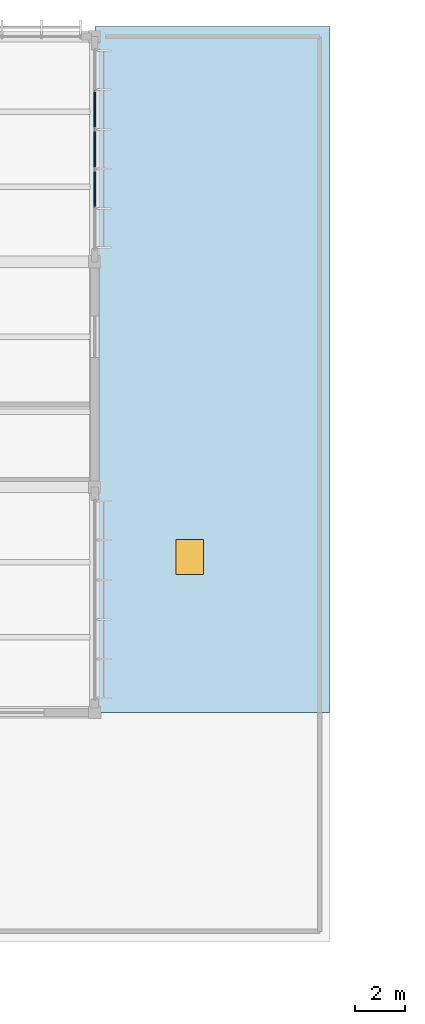
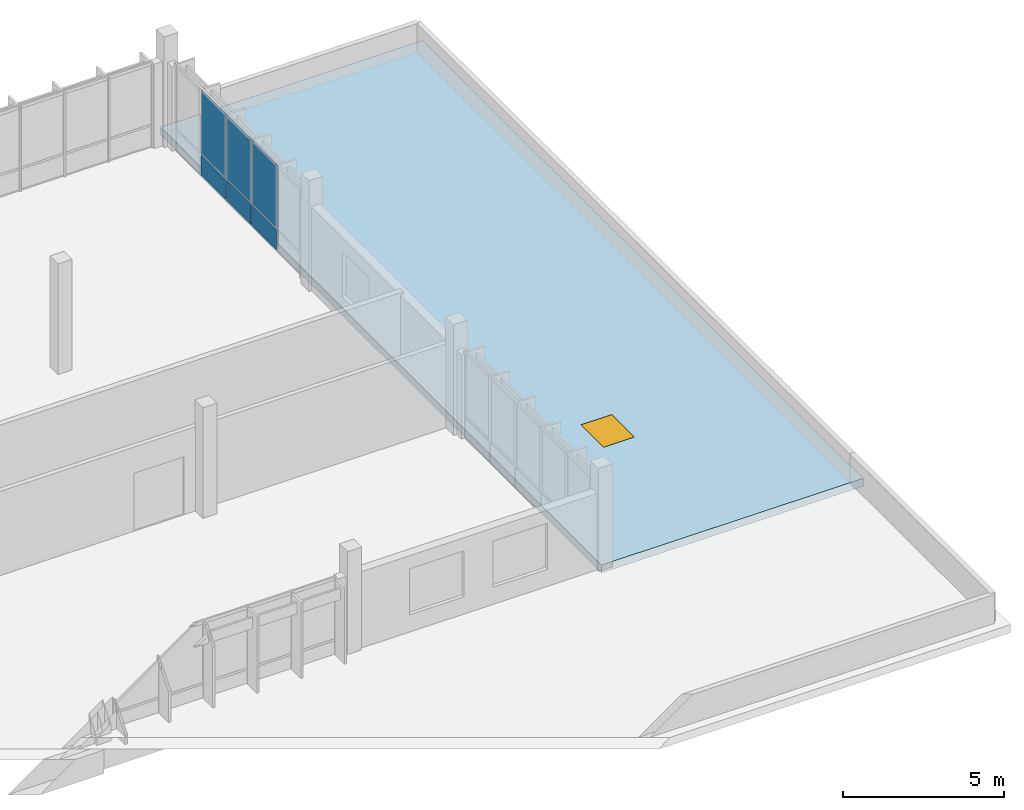
# One storey, part 85 of 107: 6 plates, 1 door, 1 slab, 1 opening, 1 element without a shape of its own.
"""IFC4 building model written with IfcOpenShell, lengths in metres."""

from ifc_helpers import new_model, si_unit, direction, frame, origin, origin_2d, place, context, subcontext, project, spatial, polyline, rectangle, outline, extrude, material, layer, layer_set, type_object, element, fill, aggregate, save


model = new_model("IFC4")

# Units and contexts
model_context = context("Model", 3, precision=1e-05, world=origin(), true_north=direction((0.0, 1.0)))
body_context = subcontext(model_context, "Body", "Model", "MODEL_VIEW")
ifc_project = project(units=[si_unit("LENGTHUNIT", "METRE"), si_unit("AREAUNIT", "SQUARE_METRE"), si_unit("VOLUMEUNIT", "CUBIC_METRE"), si_unit("PLANEANGLEUNIT", "RADIAN"), si_unit("MASSUNIT", "GRAM", prefix="KILO")], contexts=[model_context])

# Site, building, storey
site_placement = place(None, origin())
site = spatial("IfcSite", under=ifc_project, at=site_placement, CompositionType="ELEMENT")
building_placement = place(site_placement, origin())
building = spatial("IfcBuilding", under=site, at=building_placement, Name="Chiffa Square Polytechnic", CompositionType="ELEMENT")
storey_placement = place(building_placement, frame((0.0, 0.0, 13.800048828125)))
storey = spatial("IfcBuildingStorey", under=building, at=storey_placement, Name="L03", CompositionType="ELEMENT", Elevation=13.800048828125)

# Curtain wall, plates
ifc_material_1 = material(Name="Aluminium EN AW-6060 T66 and glulam shading", Category="wood")
curtain_wall_type = type_object("IfcCurtainWallType", Name="CW-VERT-480X380", PredefinedType="USERDEFINED", material=ifc_material_1)
curtain_wall_placement = place(storey_placement, origin())
curtain_wall = element("IfcCurtainWall", 1, at=curtain_wall_placement, inside=storey, type_object=curtain_wall_type, Name="Curtain wall CW-V5-L03-230", ObjectType="CURTAIN WALL", PredefinedType="USERDEFINED")
ifc_material_2 = material(Name="Double glazing", Category="glass")
ifc_layer_1 = layer(ifc_material_2, 0.0439453125, Name="Double glazing")
ifc_layer_set_1 = layer_set([ifc_layer_1], Name="Double glazing")
plate_type_1 = type_object("IfcPlateType", Name="CWP-GLZ-134X118", PredefinedType="CURTAIN_PANEL", material=ifc_layer_set_1)
plate_1_placement = place(storey_placement, frame((139.199951171875, 124.716064453125, 0.84033203125), z_axis=(0.0, 0.0, 1.0), x_axis=(0.0, 1.0, 0.0)))
plate_1 = element("IfcPlate", 2, at=plate_1_placement, type_object=plate_type_1, Name="Glazed curtain panel CW-V5-L03-230-PN02", PredefinedType="CURTAIN_PANEL", context=body_context, shape_type="SweptSolid", body=[
    extrude(rectangle(XDim=1.531982421875, YDim=0.0439453125, at=origin_2d()), origin(), (0.0, 0.0, 1.0), 2.405029296875),
])
plate_2_placement = place(storey_placement, frame((139.199951171875, 126.300048828125, 0.84033203125), z_axis=(0.0, 0.0, 1.0), x_axis=(0.0, 1.0, 0.0)))
plate_2 = element("IfcPlate", 3, at=plate_2_placement, type_object=plate_type_1, Name="Glazed curtain panel CW-V5-L03-230-PN03", PredefinedType="CURTAIN_PANEL", context=body_context, shape_type="SweptSolid", body=[
    extrude(rectangle(XDim=1.531982421875, YDim=0.0439453125, at=origin_2d()), origin(), (0.0, 0.0, 1.0), 2.405029296875),
])
plate_3_placement = place(storey_placement, frame((139.199951171875, 127.884033203125, 0.84033203125), z_axis=(0.0, 0.0, 1.0), x_axis=(0.0, 1.0, 0.0)))
plate_3 = element("IfcPlate", 4, at=plate_3_placement, type_object=plate_type_1, Name="Glazed curtain panel CW-V5-L03-230-PN04", PredefinedType="CURTAIN_PANEL", context=body_context, shape_type="SweptSolid", body=[
    extrude(rectangle(XDim=1.531982421875, YDim=0.0439453125, at=origin_2d()), origin(), (0.0, 0.0, 1.0), 2.405029296875),
])
ifc_material_3 = material(Name="Aluminium insulated spandrel", Category="aluminium")
ifc_layer_2 = layer(ifc_material_3, 0.06005859375, Name="Aluminium insulated spandrel")
ifc_layer_set_2 = layer_set([ifc_layer_2], Name="Aluminium insulated spandrel")
plate_type_2 = type_object("IfcPlateType", Name="CWP-SPN-150X095", PredefinedType="SHEET", material=ifc_layer_set_2)
plate_4_placement = place(storey_placement, frame((139.199951171875, 124.716064453125, 0.050048828125), z_axis=(0.0, 0.0, 1.0), x_axis=(0.0, 1.0, 0.0)))
plate_4 = element("IfcPlate", 5, at=plate_4_placement, type_object=plate_type_2, Name="Spandrel panel CW-V5-L03-230-SP02", PredefinedType="SHEET", context=body_context, shape_type="SweptSolid", body=[
    extrude(rectangle(XDim=1.531982421875, YDim=0.06005859375, at=origin_2d()), origin(), (0.0, 0.0, 1.0), 0.75),
])
plate_5_placement = place(storey_placement, frame((139.199951171875, 126.300048828125, 0.050048828125), z_axis=(0.0, 0.0, 1.0), x_axis=(0.0, 1.0, 0.0)))
plate_5 = element("IfcPlate", 6, at=plate_5_placement, type_object=plate_type_2, Name="Spandrel panel CW-V5-L03-230-SP03", PredefinedType="SHEET", context=body_context, shape_type="SweptSolid", body=[
    extrude(rectangle(XDim=1.531982421875, YDim=0.06005859375, at=origin_2d()), origin(), (0.0, 0.0, 1.0), 0.75),
])
plate_6_placement = place(storey_placement, frame((139.199951171875, 127.884033203125, 0.050048828125), z_axis=(0.0, 0.0, 1.0), x_axis=(0.0, 1.0, 0.0)))
plate_6 = element("IfcPlate", 7, at=plate_6_placement, type_object=plate_type_2, Name="Spandrel panel CW-V5-L03-230-SP04", PredefinedType="SHEET", context=body_context, shape_type="SweptSolid", body=[
    extrude(rectangle(XDim=1.531982421875, YDim=0.06005859375, at=origin_2d()), origin(), (0.0, 0.0, 1.0), 0.75),
])
aggregate(curtain_wall, [plate_4, plate_1, plate_5, plate_2, plate_6, plate_3])

# Slab, opening, door
ifc_material_4 = material(Name="Concrete C35/45", Category="concrete")
ifc_layer_3 = layer(ifc_material_4, 0.300048828125, Name="Concrete C35/45")
ifc_layer_set_3 = layer_set([ifc_layer_3], Name="Concrete C35/45")
slab_type = type_object("IfcSlabType", Name="SLB-ROOF-300", PredefinedType="ROOF", material=ifc_layer_set_3)
slab_placement = place(storey_placement, origin())
slab = element("IfcSlab", 8, at=slab_placement, inside=storey, type_object=slab_type, Name="Lab wing east lower roof SLB-ROOF-V5-L03E", PredefinedType="ROOF", context=body_context, shape_type="SweptSolid", body=[
    extrude(outline(polyline([(139.199951171875, 103.800048828125), (148.60009765625, 103.800048828125), (148.60009765625, 131.199951171875), (139.199951171875, 131.199951171875), (139.199951171875, 103.800048828125)]), holes=[polyline([(142.449951171875, 109.300048828125), (143.550048828125, 109.300048828125), (143.550048828125, 110.699951171875), (142.449951171875, 110.699951171875), (142.449951171875, 109.300048828125)])]), origin(), (0.0, 0.0, 1.0), 0.300048828125),
])
opening_placement = place(slab_placement, frame((143.0, 110.0, 0.0)))
opening = element("IfcOpeningElement", 9, at=opening_placement, cuts=slab, Name="Opening RH-05", PredefinedType="OPENING", context=body_context, shape_type="SweptSolid", body=[
    extrude(rectangle(XDim=1.10009765625, YDim=1.39990234375, at=origin_2d()), frame((0.0, 0.0, -0.010009765625), z_axis=(0.0, 0.0, 1.0), x_axis=(1.0, 0.0, 0.0)), (0.0, 0.0, 1.0), 0.320068359375),
])
ifc_material_5 = material(Name="Insulated aluminium roof hatch", Category="aluminium")
door_type = type_object("IfcDoorType", Name="DR-HATCH-1100X1400", OperationType="NOTDEFINED", PredefinedType="TRAPDOOR", material=ifc_material_5)
door_placement = place(opening_placement, frame((0.0, 0.0, 0.25)))
door = element("IfcDoor", 10, at=door_placement, inside=storey, type_object=door_type, Name="Maintenance roof hatch RH-05", OperationType="SINGLE_SWING_LEFT", OverallHeight=1.39990234375, OverallWidth=1.10009765625, PredefinedType="TRAPDOOR", context=body_context, shape_type="SweptSolid", body=[
    extrude(rectangle(XDim=1.10009765625, YDim=1.39990234375, at=origin_2d()), origin(), (0.0, 0.0, 1.0), 0.050048828125),
])
fill(opening, door)

save(model, "model.ifc")
